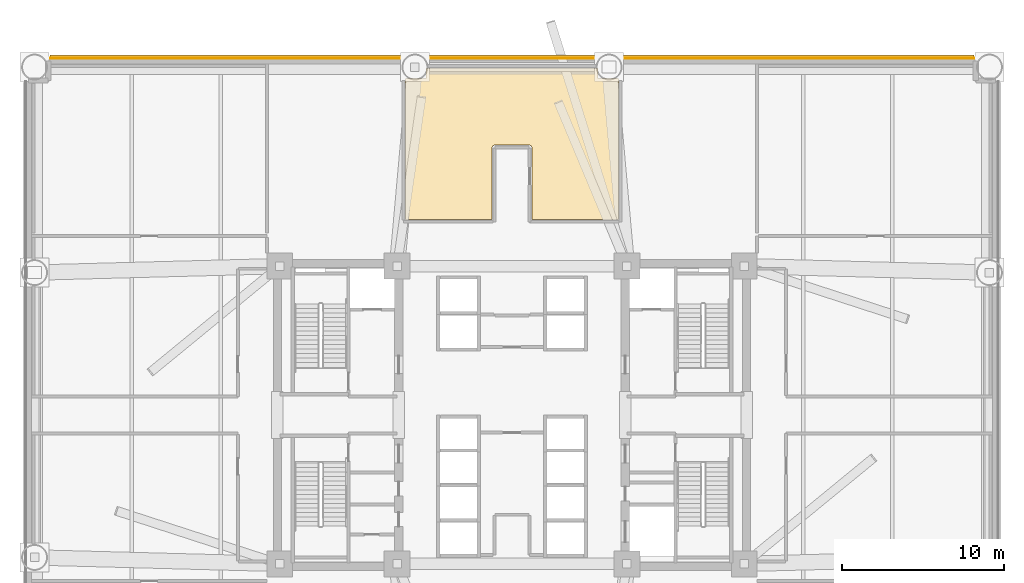
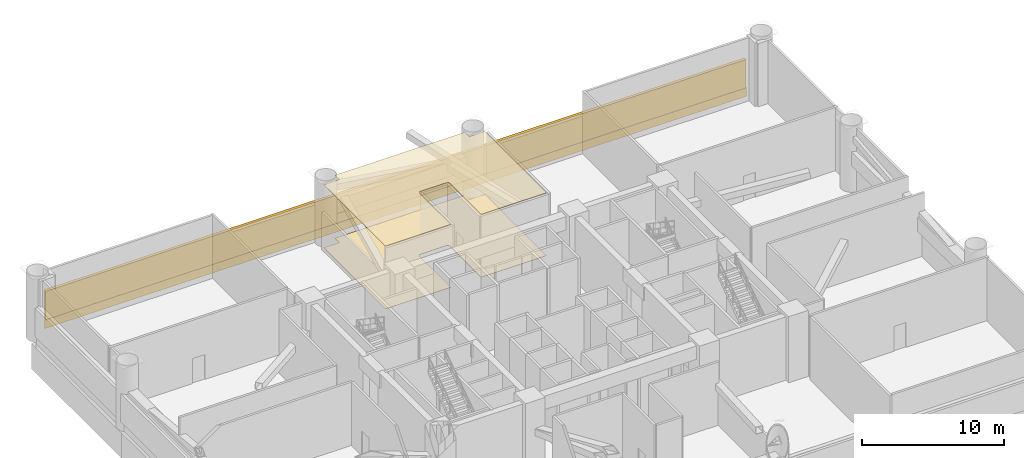
# One storey, part 10 of 10: 3 coverings, 1 shading device.
"""IFC4 building model written with IfcOpenShell, lengths in metres."""

from ifc_helpers import new_model, si_unit, direction, frame, origin, origin_2d, place, context, subcontext, project, spatial, polyline, rectangle, outline, extrude, source, transform, mapped, material, layer, layer_set, type_object, element, save


model = new_model("IFC4")

# Units and contexts
model_context = context("Model", 3, precision=1e-05, world=origin(), true_north=direction((0.0, 1.0)))
body_context = subcontext(model_context, "Body", "Model", "MODEL_VIEW")
ifc_project = project(units=[si_unit("LENGTHUNIT", "METRE"), si_unit("AREAUNIT", "SQUARE_METRE"), si_unit("VOLUMEUNIT", "CUBIC_METRE"), si_unit("PLANEANGLEUNIT", "RADIAN"), si_unit("MASSUNIT", "GRAM", prefix="KILO")], contexts=[model_context])

# Site, building, storey
site_placement = place(None, origin())
site = spatial("IfcSite", under=ifc_project, at=site_placement, CompositionType="ELEMENT")
building_placement = place(site_placement, origin())
building = spatial("IfcBuilding", under=site, at=building_placement, Name="Zahravan Cultural Tower", CompositionType="ELEMENT")
storey_placement = place(building_placement, frame((0.0, 0.0, 23.39990234375)))
storey = spatial("IfcBuildingStorey", under=building, at=storey_placement, Name="L04", CompositionType="ELEMENT", Elevation=23.39990234375)

# Coverings
ifc_material_1 = material(Name="Acoustic mineral fibreboard")
ifc_layer_1 = layer(ifc_material_1, 0.0400390625)
ifc_layer_set_1 = layer_set([ifc_layer_1], Name="Acoustic mineral fibreboard")
covering_type_1 = type_object("IfcCoveringType", Name="COV-CEIL-AC20", PredefinedType="CEILING", material=ifc_layer_set_1)
covering_1_placement = place(storey_placement, frame((0.0, 0.0, 5.41015625)))
element("IfcCovering", 1, at=covering_1_placement, inside=storey, type_object=covering_type_1, Name="L04 Acoustic Suspended Ceiling", PredefinedType="CEILING", context=body_context, shape_type="SweptSolid", body=[
    extrude(outline(polyline([(29.429931640625, 39.080078125), (34.77001953125, 39.080078125), (34.77001953125, 43.510009765625), (34.7890625, 43.5859375), (34.845703125, 43.648681640625), (34.8974609375, 43.673095703125), (34.944091796875, 43.679931640625), (37.057861328125, 43.679931640625), (37.119384765625, 43.667724609375), (37.178466796875, 43.62841796875), (37.2177734375, 43.569580078125), (37.22998046875, 43.5078125), (37.22998046875, 39.080078125), (42.570068359375, 39.080078125), (42.570068359375, 47.800048828125), (41.300048828125, 47.800048828125), (41.300048828125, 48.419921875), (30.699951171875, 48.419921875), (30.699951171875, 47.800048828125), (29.429931640625, 47.800048828125), (29.429931640625, 39.080078125)])), origin(), (0.0, 0.0, 1.0), 0.0400390625),
])
ifc_material_2 = material(Name="Terrazzo flooring")
ifc_layer_2 = layer(ifc_material_2, 0.02490234375)
ifc_layer_set_2 = layer_set([ifc_layer_2], Name="Terrazzo flooring")
covering_type_2 = type_object("IfcCoveringType", Name="COV-FLR-TZ25", PredefinedType="FLOORING", material=ifc_layer_set_2)
covering_2_placement = place(storey_placement, origin())
element("IfcCovering", 2, at=covering_2_placement, inside=storey, type_object=covering_type_2, Name="L04 Polished Terrazzo Flooring", PredefinedType="FLOORING", context=body_context, shape_type="SweptSolid", body=[
    extrude(outline(polyline([(29.429931640625, 39.080078125), (34.77001953125, 39.080078125), (34.77001953125, 43.510009765625), (34.7890625, 43.5859375), (34.845703125, 43.648681640625), (34.8974609375, 43.673095703125), (34.944091796875, 43.679931640625), (37.057861328125, 43.679931640625), (37.119384765625, 43.667724609375), (37.178466796875, 43.62841796875), (37.2177734375, 43.569580078125), (37.22998046875, 43.5078125), (37.22998046875, 39.080078125), (42.570068359375, 39.080078125), (42.570068359375, 47.800048828125), (41.300048828125, 47.800048828125), (41.300048828125, 48.419921875), (30.699951171875, 48.419921875), (30.699951171875, 47.800048828125), (29.429931640625, 47.800048828125), (29.429931640625, 39.080078125)])), origin(), (0.0, 0.0, 1.0), 0.025146484375),
])
ifc_material_3 = material(Name="Terracotta ceramic cladding", Category="masonry")
ifc_layer_3 = layer(ifc_material_3, 0.06005859375)
ifc_layer_set_3 = layer_set([ifc_layer_3], Name="Terracotta ceramic cladding")
covering_type_3 = type_object("IfcCoveringType", Name="COV-CLAD-TC60", PredefinedType="CLADDING", material=ifc_layer_set_3)
shared_shape_1 = source(origin(), body_context, "Body", "SweptSolid", [
    extrude(rectangle(XDim=57.219970703125, YDim=0.06005859375, at=origin_2d()), origin(), (0.0, 0.0, 1.0), 0.760009765625),
])
covering_3_placement = place(storey_placement, frame((36.0, 49.044921875, 0.02001953125), z_axis=(0.0, 0.0, 1.0), x_axis=(1.0, 0.0, 0.0)))
element("IfcCovering", 3, at=covering_3_placement, inside=storey, type_object=covering_type_3, Name="L04 Terracotta Spandrel Cladding 10", PredefinedType="CLADDING", context=body_context, shape_type="MappedRepresentation", body=[
    mapped(shared_shape_1, transform((0.0, 0.0, 0.0), x_axis=(1.0, 0.0, 0.0), y_axis=(0.0, 1.0, 0.0), z_axis=(0.0, 0.0, 1.0), scale=1.0)),
])

# Shading device
ifc_material_4 = material(Name="Architectural terracotta fin", Category="masonry")
shading_device_type = type_object("IfcShadingDeviceType", Name="SHD-LOUVRE-BAND", PredefinedType="JALOUSIE", material=ifc_material_4)
shared_shape_2 = source(origin(), body_context, "Body", "SweptSolid", [
    extrude(rectangle(XDim=57.1201171875, YDim=0.239990234375, at=origin_2d()), origin(), (0.0, 0.0, 1.0), 2.44189453125),
])
shading_device_placement = place(storey_placement, frame((36.0, 49.110107421875, 0.780029296875), z_axis=(0.0, 0.0, 1.0), x_axis=(1.0, 0.0, 0.0)))
element("IfcShadingDevice", 4, at=shading_device_placement, inside=storey, type_object=shading_device_type, Name="L04 Terracotta Acoustic Louvre 04", PredefinedType="JALOUSIE", context=body_context, shape_type="MappedRepresentation", body=[
    mapped(shared_shape_2, transform((0.0, 0.0, 0.0), x_axis=(1.0, 0.0, 0.0), y_axis=(0.0, 1.0, 0.0), z_axis=(0.0, 0.0, 1.0), scale=1.0)),
])

save(model, "model.ifc")
